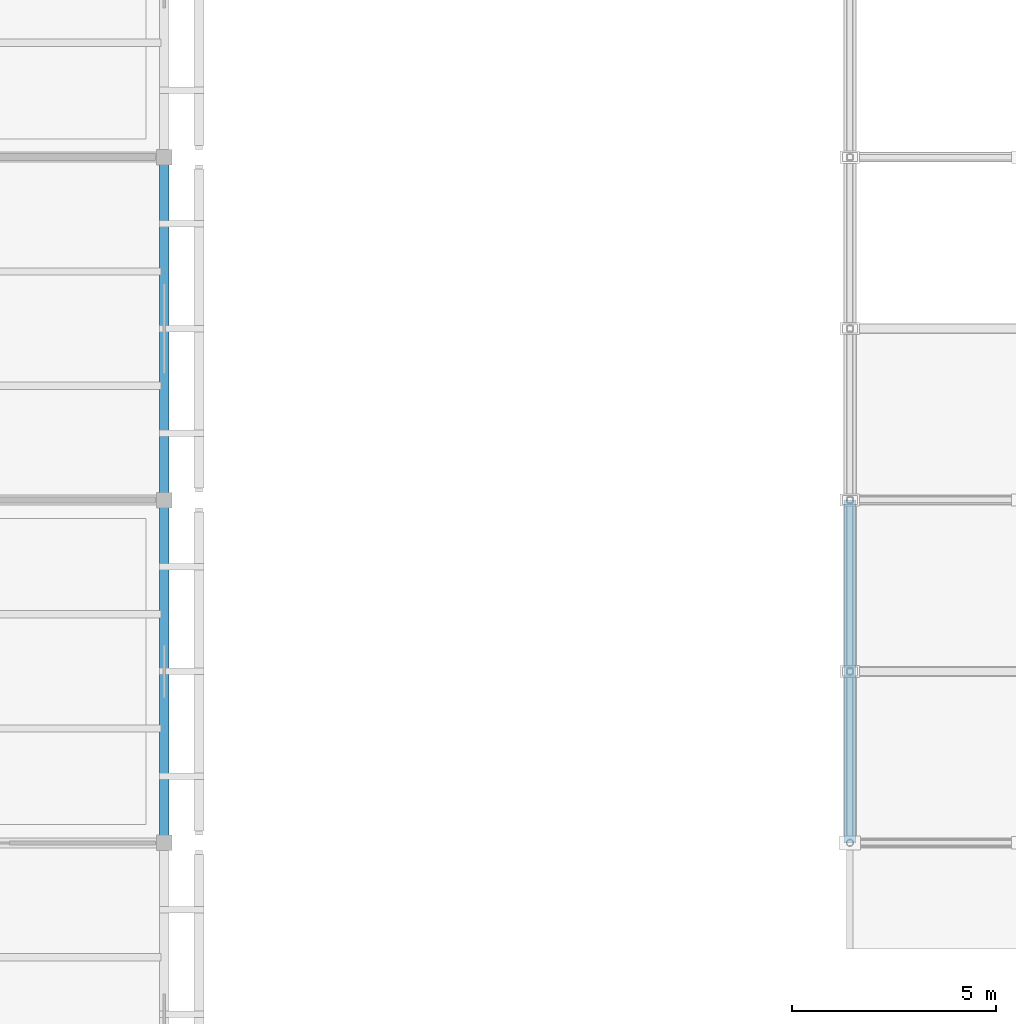
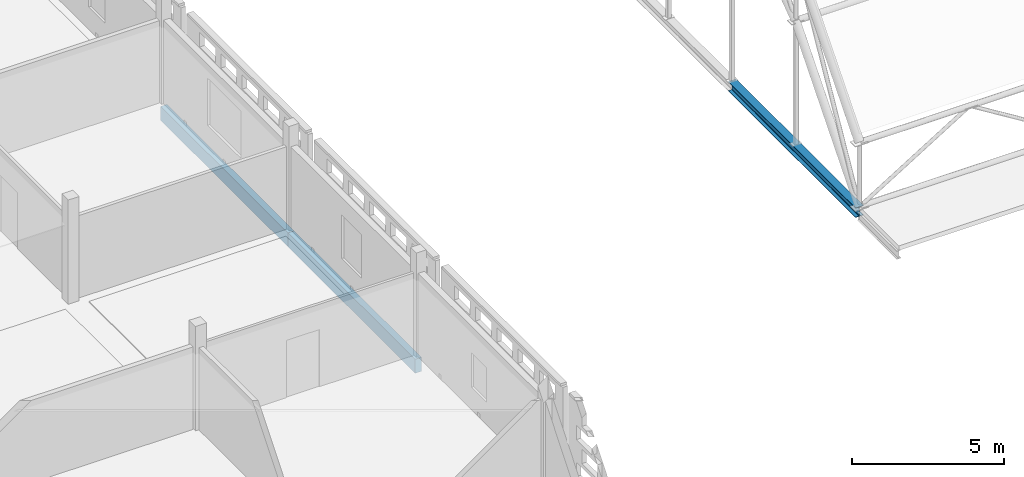
# One storey, part 7 of 103: 3 beams.
"""IFC4 building model written with IfcOpenShell, lengths in metres."""

import ifcopenshell
import ifcopenshell.guid

model = None  # the IFC model being written
_history = None  # IfcOwnerHistory: only IFC2X3 demands one
_inside = {}  # id of a spatial element -> (the spatial element, [elements in it])
_under = {}  # id of a project, library or spatial element -> (it, [spatial elements below it])
_declared = {}  # id of a project -> (the project, [libraries it declares])
_typed = {}  # id of a type object -> (the type object, [elements of that type])
_made_of = {}  # id of a material, layer set ... -> (it, [elements and type objects made of it])


def new_model(schema):
    """Start an empty IFC model of exactly this schema.

    Asked for "IFC4X3", IfcOpenShell would pick the latest addendum, in which some entities
    have other attributes; the version numbers below select the first issue.
    IFC2X3 requires an IfcOwnerHistory on every rooted entity: one is made here for all.
    """
    global model, _history
    if schema == "IFC4X3":
        model = ifcopenshell.file(schema_version=(4, 3, 0, 0))
    else:
        model = ifcopenshell.file(schema=schema)
    _inside.clear()
    _under.clear()
    _declared.clear()
    _typed.clear()
    _made_of.clear()
    _history = None
    if model.schema == "IFC2X3":
        org = make("IfcOrganization", Name="unknown")
        user = make(
            "IfcPersonAndOrganization",
            ThePerson=make("IfcPerson", FamilyName="unknown"),
            TheOrganization=org,
        )
        app = make(
            "IfcApplication",
            ApplicationDeveloper=org,
            Version="unknown",
            ApplicationFullName="unknown",
            ApplicationIdentifier="unknown",
        )
        _history = make(
            "IfcOwnerHistory",
            OwningUser=user,
            OwningApplication=app,
            ChangeAction="ADDED",
            CreationDate=0,
        )
    return model


def make(cls, **values):
    """One entity of the class cls with the attributes given. An attribute that is None is left unset."""
    return model.create_entity(
        cls, **{name: value for name, value in values.items() if value is not None}
    )


def rooted(cls, **values):
    """An entity with a GlobalId (a new one), such as an element, a storey or a relation."""
    return make(cls, GlobalId=ifcopenshell.guid.new(), OwnerHistory=_history, **values)


def si_unit(unit_type, name, prefix=None):
    """IfcSIUnit, for example si_unit("LENGTHUNIT", "METRE", prefix="MILLI")."""
    return make("IfcSIUnit", UnitType=unit_type, Prefix=prefix, Name=name)


def assignment(units):
    """IfcUnitAssignment: the units of a project."""
    return None if units is None else make("IfcUnitAssignment", Units=units)


def point(xyz):
    """IfcCartesianPoint."""
    return None if xyz is None else make("IfcCartesianPoint", Coordinates=xyz)


def direction(xyz):
    """IfcDirection."""
    return None if xyz is None else make("IfcDirection", DirectionRatios=xyz)


def frame(location, z_axis=None, x_axis=None):
    """IfcAxis2Placement3D, a coordinate frame: its origin and axes. An axis left out is left unset."""
    return make(
        "IfcAxis2Placement3D",
        Location=point(location),
        Axis=direction(z_axis),
        RefDirection=direction(x_axis),
    )


def frame_2d(location, x_axis=None):
    """IfcAxis2Placement2D, a coordinate frame in the plane: its origin and x axis."""
    return make(
        "IfcAxis2Placement2D", Location=point(location), RefDirection=direction(x_axis)
    )


def origin():
    """The frame at (0, 0, 0) with its axes left unset."""
    return frame((0.0, 0.0, 0.0))


def origin_2d():
    """The frame at (0, 0) in the plane with its x axis left unset."""
    return frame_2d((0.0, 0.0))


def place(relative_to, where):
    """IfcLocalPlacement: puts the frame where relative to a parent placement (None: the world)."""
    return make(
        "IfcLocalPlacement", PlacementRelTo=relative_to, RelativePlacement=where
    )


def context(
    kind, dimensions, precision=None, world=None, true_north=None, identifier=None
):
    """IfcGeometricRepresentationContext, for example the 3D "Model" context."""
    return make(
        "IfcGeometricRepresentationContext",
        ContextIdentifier=identifier,
        ContextType=kind,
        CoordinateSpaceDimension=dimensions,
        Precision=precision,
        WorldCoordinateSystem=world,
        TrueNorth=true_north,
    )


def subcontext(parent, identifier, kind, view, scale=None):
    """IfcGeometricRepresentationSubContext, for example "Body" below "Model"."""
    return make(
        "IfcGeometricRepresentationSubContext",
        ContextIdentifier=identifier,
        ContextType=kind,
        ParentContext=parent,
        TargetScale=scale,
        TargetView=view,
    )


def project(units=None, contexts=None):
    """IfcProject with its units and contexts."""
    return rooted(
        "IfcProject",
        Name="project",
        RepresentationContexts=contexts,
        UnitsInContext=assignment(units),
    )


def spatial(cls, under=None, at=None, **own):
    """A site, building, storey or space (cls), placed at a placement, below another one or the project."""
    s = rooted(cls, ObjectPlacement=at, **own)
    if under is not None:
        _under.setdefault(under.id(), (under, []))[1].append(s)
    return s


def profile(cls, at=None, kind="AREA", **sizes):
    """A parametric profile (cls). Its sizes go by their IFC names, for example OverallWidth=200.0."""
    return make(cls, ProfileType=kind, Position=at, **sizes)


def rectangle(**sizes):
    """IfcRectangleProfileDef."""
    return profile("IfcRectangleProfileDef", **sizes)


def i_section(**sizes):
    """IfcIShapeProfileDef."""
    return profile("IfcIShapeProfileDef", **sizes)


def extrude(swept, where, along, depth):
    """IfcExtrudedAreaSolid: the profile swept, set in the frame where, extruded along a direction by depth."""
    return make(
        "IfcExtrudedAreaSolid",
        SweptArea=swept,
        Position=where,
        ExtrudedDirection=direction(along),
        Depth=depth,
    )


def shape(context_of_items, identifier, shape_type, items):
    """IfcShapeRepresentation: the items that make up one representation, for example the "Body"."""
    return make(
        "IfcShapeRepresentation",
        ContextOfItems=context_of_items,
        RepresentationIdentifier=identifier,
        RepresentationType=shape_type,
        Items=items,
    )


def material(Name=None, Category=None):
    """IfcMaterial."""
    return make("IfcMaterial", Name=Name, Category=Category)


def material_profile(
    of_material, cross_section, Name=None, Category=None, Priority=None
):
    """IfcMaterialProfile: a cross section and its material."""
    return make(
        "IfcMaterialProfile",
        Name=Name,
        Material=of_material,
        Profile=cross_section,
        Priority=Priority,
        Category=Category,
    )


def profile_set(profiles, Name=None, composite=None):
    """IfcMaterialProfileSet."""
    return make(
        "IfcMaterialProfileSet",
        Name=Name,
        MaterialProfiles=profiles,
        CompositeProfile=composite,
    )


def made_of(thing, what):
    """Note that an element or type object is made of a material, layer set ...; save() writes the relation."""
    if what is not None:
        _made_of.setdefault(what.id(), (what, []))[1].append(thing)
    return thing


def type_object(cls, material=None, **own):
    """A type object (cls), such as IfcWallType, which elements share."""
    return made_of(rooted(cls, **own), material)


def element(
    cls,
    number,
    at=None,
    inside=None,
    cuts=None,
    type_object=None,
    material=None,
    context=None,
    identifier="Body",
    shape_type=None,
    held_by="IfcProductDefinitionShape",
    body=None,
    shapes=None,
    **own,
):
    """One element of the class cls, such as IfcWall. Its Tag is "e" and its number.

    at: its placement. inside: the storey or other place that contains it. cuts: it is an
    opening in that element (IfcRelVoidsElement). A single representation is given by context,
    identifier, shape_type and body (its items); several are given by shapes. held_by: the class
    of the entity that holds the representations. save() writes the other relations.
    """
    e = rooted(cls, Tag="e%d" % number, ObjectPlacement=at, **own)
    if body is not None:
        shapes = [shape(context, identifier, shape_type, body)]
    if shapes is not None:
        e.Representation = make(held_by, Representations=shapes)
    if inside is not None:
        _inside.setdefault(inside.id(), (inside, []))[1].append(e)
    if cuts is not None:
        rooted(
            "IfcRelVoidsElement", RelatingBuildingElement=cuts, RelatedOpeningElement=e
        )
    if type_object is not None:
        _typed.setdefault(type_object.id(), (type_object, []))[1].append(e)
    return made_of(e, material)


def aggregate(whole, parts):
    """IfcRelAggregates: a whole, such as a stair, and the parts it consists of."""
    return rooted("IfcRelAggregates", RelatingObject=whole, RelatedObjects=parts)


def save(model, path):
    """Write the relations noted so far, then the file.

    IfcRelAggregates (storeys below a building ...), IfcRelContainedInSpatialStructure (elements
    in a storey), IfcRelDefinesByType, IfcRelAssociatesMaterial and IfcRelDeclares: one each for
    every whole, place, type object, material and project.
    """
    for whole, parts in _under.values():
        aggregate(whole, parts)
    for where, things in _inside.values():
        rooted(
            "IfcRelContainedInSpatialStructure",
            RelatedElements=things,
            RelatingStructure=where,
        )
    for kind, things in _typed.values():
        rooted("IfcRelDefinesByType", RelatedObjects=things, RelatingType=kind)
    for what, things in _made_of.values():
        rooted("IfcRelAssociatesMaterial", RelatedObjects=things, RelatingMaterial=what)
    for by, libraries in _declared.values():
        rooted("IfcRelDeclares", RelatingContext=by, RelatedDefinitions=libraries)
    model.write(path)


model = new_model("IFC4")

# Units and contexts
model_context = context("Model", 3, precision=1e-05, world=origin(), true_north=direction((0.0, 1.0)))
body_context = subcontext(model_context, "Body", "Model", "MODEL_VIEW")
ifc_project = project(units=[si_unit("LENGTHUNIT", "METRE"), si_unit("AREAUNIT", "SQUARE_METRE"), si_unit("VOLUMEUNIT", "CUBIC_METRE"), si_unit("PLANEANGLEUNIT", "RADIAN"), si_unit("MASSUNIT", "GRAM", prefix="KILO")], contexts=[model_context])

# Site, building, storey
site_placement = place(None, origin())
site = spatial("IfcSite", under=ifc_project, at=site_placement, CompositionType="ELEMENT")
building_placement = place(site_placement, origin())
building = spatial("IfcBuilding", under=site, at=building_placement, Name="Varnapada Polytechnic", CompositionType="ELEMENT")
storey_placement = place(building_placement, frame((0.0, 0.0, 18.0)))
storey = spatial("IfcBuildingStorey", under=building, at=storey_placement, Name="L04", CompositionType="ELEMENT", Elevation=18.0)

# Beams
ifc_material_1 = material(Name="Glulam GL32h", Category="wood")
ifc_material_profile_1 = material_profile(ifc_material_1, rectangle(XDim=0.239990234375, YDim=0.56005859375, at=origin_2d()), Name="GL 240x560")
ifc_profile_set_1 = profile_set([ifc_material_profile_1], Name="Glulam GL32h")
beam_type_1 = type_object("IfcBeamType", Name="Perimeter glulam spandrel beam SP-02 (GL 240x560)", PredefinedType="SPANDREL", material=ifc_profile_set_1)
beam_1_placement = place(storey_placement, frame((33.60009765625, 84.0, -0.5), z_axis=(0.0, 1.0, 0.0), x_axis=(-1.0, 0.0, 0.0)))
element("IfcBeam", 1, at=beam_1_placement, inside=storey, type_object=beam_type_1, Name="L04 beam Y 11-12 at X5", PredefinedType="SPANDREL", context=body_context, shape_type="SweptSolid", body=[
    extrude(rectangle(XDim=0.239990234375, YDim=0.56005859375, at=origin_2d()), origin(), (0.0, 0.0, 1.0), 8.39990234375),
])
beam_2_placement = place(storey_placement, frame((33.60009765625, 92.39990234375, -0.5), z_axis=(0.0, 1.0, 0.0), x_axis=(-1.0, 0.0, 0.0)))
element("IfcBeam", 2, at=beam_2_placement, inside=storey, type_object=beam_type_1, Name="L04 beam Y 12-13 at X5", PredefinedType="SPANDREL", context=body_context, shape_type="SweptSolid", body=[
    extrude(rectangle(XDim=0.239990234375, YDim=0.56005859375, at=origin_2d()), origin(), (0.0, 0.0, 1.0), 8.400146484375),
])
ifc_material_2 = material(Name="Steel S355", Category="steel")
ifc_material_profile_2 = material_profile(ifc_material_2, i_section(OverallWidth=0.300048828125, OverallDepth=0.389892578125, WebThickness=0.010986328125, FlangeThickness=0.01904296875, FilletRadius=0.027099609375, at=origin_2d()), Name="HEA 400")
ifc_profile_set_2 = profile_set([ifc_material_profile_2], Name="Steel S355")
beam_type_2 = type_object("IfcBeamType", Name="Steel roof primary girder SG-01 (HEA 400)", PredefinedType="BEAM", material=ifc_profile_set_2)
beam_3_placement = place(storey_placement, frame((50.39990234375, 84.0, -0.18994140625), z_axis=(0.0, 1.0, 0.0), x_axis=(-1.0, 0.0, 0.0)))
element("IfcBeam", 3, at=beam_3_placement, inside=storey, type_object=beam_type_2, Name="L04 workshop arch tympanum sill girder W.1", PredefinedType="BEAM", context=body_context, shape_type="SweptSolid", body=[
    extrude(i_section(OverallWidth=0.300048828125, OverallDepth=0.389892578125, WebThickness=0.010986328125, FlangeThickness=0.01904296875, FilletRadius=0.027099609375, at=origin_2d()), origin(), (0.0, 0.0, 1.0), 8.39990234375),
])

save(model, "model.ifc")
